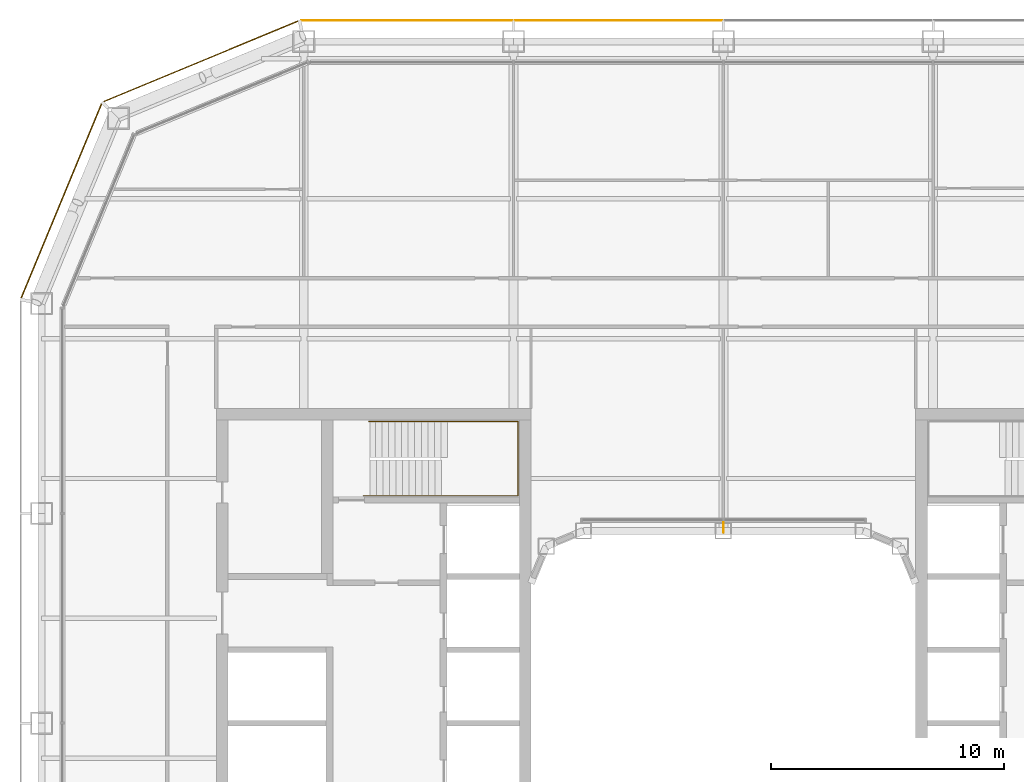
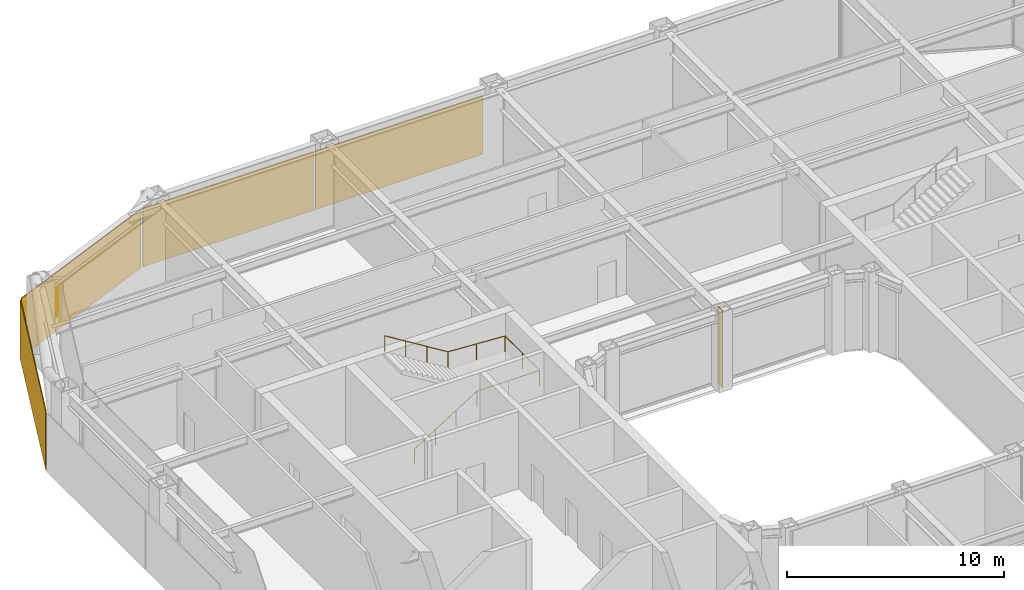
# One storey, part 21 of 23: 4 coverings, 1 railing, 1 shading device.
"""IFC4 building model written with IfcOpenShell, lengths in metres."""

from ifc_helpers import new_model, si_unit, direction, frame, origin, origin_2d, place, context, subcontext, project, spatial, rectangle, circle, extrude, material, layer, layer_set, type_object, element, save


model = new_model("IFC4")

# Units and contexts
model_context = context("Model", 3, precision=1e-05, world=origin(), true_north=direction((0.0, 1.0)))
body_context = subcontext(model_context, "Body", "Model", "MODEL_VIEW")
ifc_project = project(units=[si_unit("LENGTHUNIT", "METRE"), si_unit("AREAUNIT", "SQUARE_METRE"), si_unit("VOLUMEUNIT", "CUBIC_METRE"), si_unit("PLANEANGLEUNIT", "RADIAN"), si_unit("MASSUNIT", "GRAM", prefix="KILO")], contexts=[model_context])

# Site, building, storey
site_placement = place(None, origin())
site = spatial("IfcSite", under=ifc_project, at=site_placement, CompositionType="ELEMENT")
building_placement = place(site_placement, origin())
building = spatial("IfcBuilding", under=site, at=building_placement, Name="Siwar Civic Tower", CompositionType="ELEMENT")
storey_placement = place(building_placement, frame((0.0, 0.0, 109.199951171875)))
storey = spatial("IfcBuildingStorey", under=building, at=storey_placement, Name="L23", CompositionType="ELEMENT", Elevation=109.199951171875)

# Railing
ifc_material_1 = material(Name="Stainless steel", Category="steel")
railing_type = type_object("IfcRailingType", Name="CORE-STAIR-HANDRAIL", PredefinedType="HANDRAIL", material=ifc_material_1)
railing_placement = place(storey_placement, frame((-15.449951171875, 9.758056640625, 0.173095703125)))
element("IfcRailing", 1, at=railing_placement, inside=storey, type_object=railing_type, Name="Stair handrail ST1", PredefinedType="HANDRAIL", context=body_context, shape_type="SweptSolid", body=[
    extrude(circle(Radius=0.02001953125, at=origin_2d()), frame((0.0, 0.0, 0.8798828125), z_axis=(0.847063342986, 0.0, 0.531491950051), x_axis=(0.0, 1.0, 0.0)), (0.0, 0.0, 1.0), 3.90771484375),
    extrude(circle(Radius=0.02001953125, at=origin_2d()), frame((3.31005859375, 0.0, 2.956787109375), z_axis=(1.0, 0.0, 0.0), x_axis=(0.0, 1.0, 0.0)), (0.0, 0.0, 1.0), 3.331787109375),
    extrude(circle(Radius=0.02001953125, at=origin_2d()), frame((6.641845703125, 0.0, 2.956787109375), z_axis=(0.0, 1.0, 0.0), x_axis=(-1.0, 0.0, 0.0)), (0.0, 0.0, 1.0), 3.183837890625),
    extrude(circle(Radius=0.02001953125, at=origin_2d()), frame((6.641845703125, 3.183837890625, 2.956787109375), z_axis=(-0.99837434197, 0.0, 0.056997134106), x_axis=(0.0, -1.0, 0.0)), (0.0, 0.0, 1.0), 3.036865234375),
    extrude(circle(Radius=0.02001953125, at=origin_2d()), frame((3.60986328125, 3.183837890625, 3.1298828125), z_axis=(-0.850606129759, 0.0, 0.525803396734), x_axis=(0.0, -1.0, 0.0)), (0.0, 0.0, 1.0), 3.949951171875),
    extrude(circle(Radius=0.02001953125, at=origin_2d()), origin(), (0.0, 0.0, 1.0), 0.85986328125),
    extrude(circle(Radius=0.02001953125, at=origin_2d()), frame((1.103271484375, 0.0, 0.6923828125)), (0.0, 0.0, 1.0), 0.85986328125),
    extrude(circle(Radius=0.02001953125, at=origin_2d()), frame((2.206787109375, 0.0, 1.384521484375)), (0.0, 0.0, 1.0), 0.85986328125),
    extrude(circle(Radius=0.02001953125, at=origin_2d()), frame((3.31005859375, 0.0, 2.076904296875)), (0.0, 0.0, 1.0), 0.85986328125),
    extrude(circle(Radius=0.02001953125, at=origin_2d()), frame((4.97607421875, 0.0, 2.076904296875)), (0.0, 0.0, 1.0), 0.85986328125),
    extrude(circle(Radius=0.02001953125, at=origin_2d()), frame((6.641845703125, 0.0, 2.076904296875)), (0.0, 0.0, 1.0), 0.85986328125),
    extrude(circle(Radius=0.02001953125, at=origin_2d()), frame((6.641845703125, 1.591796875, 2.076904296875)), (0.0, 0.0, 1.0), 0.85986328125),
    extrude(circle(Radius=0.02001953125, at=origin_2d()), frame((6.641845703125, 3.183837890625, 2.076904296875)), (0.0, 0.0, 1.0), 0.85986328125),
    extrude(circle(Radius=0.02001953125, at=origin_2d()), frame((5.1259765625, 3.183837890625, 2.16357421875)), (0.0, 0.0, 1.0), 0.85986328125),
    extrude(circle(Radius=0.02001953125, at=origin_2d()), frame((3.60986328125, 3.183837890625, 2.25)), (0.0, 0.0, 1.0), 0.85986328125),
    extrude(circle(Radius=0.02001953125, at=origin_2d()), frame((2.489990234375, 3.183837890625, 2.9423828125)), (0.0, 0.0, 1.0), 0.85986328125),
    extrude(circle(Radius=0.02001953125, at=origin_2d()), frame((1.369873046875, 3.183837890625, 3.634521484375)), (0.0, 0.0, 1.0), 0.85986328125),
    extrude(circle(Radius=0.02001953125, at=origin_2d()), frame((0.25, 3.183837890625, 4.326904296875)), (0.0, 0.0, 1.0), 0.85986328125),
])

# Shading device
ifc_material_2 = material(Name="Aluminium 6063-T6", Category="aluminium")
ifc_layer_1 = layer(ifc_material_2, 0.02001953125)
ifc_layer_set_1 = layer_set([ifc_layer_1], Name="Aluminium 6063-T6")
shading_device_type = type_object("IfcShadingDeviceType", Name="ENV-FIN", PredefinedType="JALOUSIE", material=ifc_layer_set_1)
shading_device_placement = place(storey_placement, frame((0.0, 8.39501953125, 0.0), z_axis=(0.0, 0.0, 1.0), x_axis=(-1.0, 0.0, 0.0)))
element("IfcShadingDevice", 2, at=shading_device_placement, inside=storey, type_object=shading_device_type, Name="SUNSHADE fin WN 1", PredefinedType="JALOUSIE", context=body_context, shape_type="SweptSolid", body=[
    extrude(rectangle(XDim=0.02001953125, YDim=0.449951171875, at=origin_2d()), origin(), (0.0, 0.0, 1.0), 4.35009765625),
])

# Coverings
ifc_material_3 = material(Name="Perforated aluminium cassette, pale metal", Category="aluminium")
ifc_layer_2 = layer(ifc_material_3, 0.0400390625)
ifc_layer_set_2 = layer_set([ifc_layer_2], Name="Perforated aluminium cassette, pale metal")
covering_type_1 = type_object("IfcCoveringType", Name="ENV-OUTER SKIN OS-1", PredefinedType="CLADDING", material=ifc_layer_set_2)
covering_1_placement = place(storey_placement, frame((-4.5, 30.14990234375, -0.14990234375), z_axis=(0.0, 0.0, 1.0), x_axis=(-1.0, 0.0, 0.0)))
element("IfcCovering", 3, at=covering_1_placement, inside=storey, type_object=covering_type_1, Name="OUTER SKIN OS-1 N 3", PredefinedType="CLADDING", context=body_context, shape_type="SweptSolid", body=[
    extrude(rectangle(XDim=8.89990234375, YDim=0.0400390625, at=origin_2d()), origin(), (0.0, 0.0, 1.0), 3.300048828125),
])
covering_2_placement = place(storey_placement, frame((-13.57958984375, 30.14990234375, -0.14990234375), z_axis=(0.0, 0.0, 1.0), x_axis=(-1.0, 0.0, 0.0)))
element("IfcCovering", 4, at=covering_2_placement, inside=storey, type_object=covering_type_1, Name="OUTER SKIN OS-1 N 4", PredefinedType="CLADDING", context=body_context, shape_type="SweptSolid", body=[
    extrude(rectangle(XDim=9.05908203125, YDim=0.0400390625, at=origin_2d()), origin(), (0.0, 0.0, 1.0), 3.300048828125),
])
covering_3_placement = place(storey_placement, frame((-22.411376953125, 28.39697265625, -0.14990234375), z_axis=(0.0, 0.0, 1.0), x_axis=(-0.923879532511, -0.382683432365, 0.0)))
element("IfcCovering", 5, at=covering_3_placement, inside=storey, type_object=covering_type_1, Name="OUTER SKIN OS-1 NW1 1", PredefinedType="CLADDING", context=body_context, shape_type="SweptSolid", body=[
    extrude(rectangle(XDim=9.022216796875, YDim=0.0400390625, at=origin_2d()), origin(), (0.0, 0.0, 1.0), 3.300048828125),
])
ifc_material_4 = material(Name="Perforated aluminium cassette, pale metal", Category="aluminium")
ifc_layer_3 = layer(ifc_material_4, 0.044921875)
ifc_layer_set_3 = layer_set([ifc_layer_3], Name="Perforated aluminium cassette, pale metal")
covering_type_2 = type_object("IfcCoveringType", Name="ENV-OUTER SKIN OS-2", PredefinedType="CLADDING", material=ifc_layer_set_3)
covering_4_placement = place(storey_placement, frame((-28.39697265625, 22.411376953125, -0.14990234375), z_axis=(0.0, 0.0, 1.0), x_axis=(-0.382683432365, -0.923879532511, 0.0)))
element("IfcCovering", 6, at=covering_4_placement, inside=storey, type_object=covering_type_2, Name="OUTER SKIN OS-2 NW2 1", PredefinedType="CLADDING", context=body_context, shape_type="SweptSolid", body=[
    extrude(rectangle(XDim=9.022216796875, YDim=0.044921875, at=origin_2d()), origin(), (0.0, 0.0, 1.0), 3.300048828125),
])

save(model, "model.ifc")
